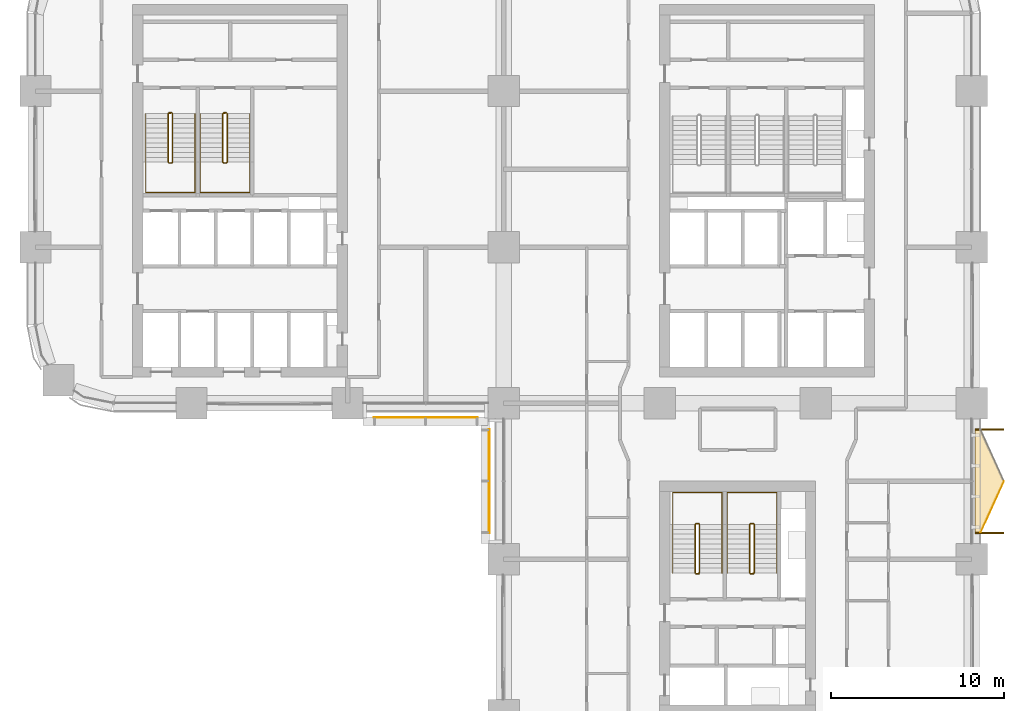
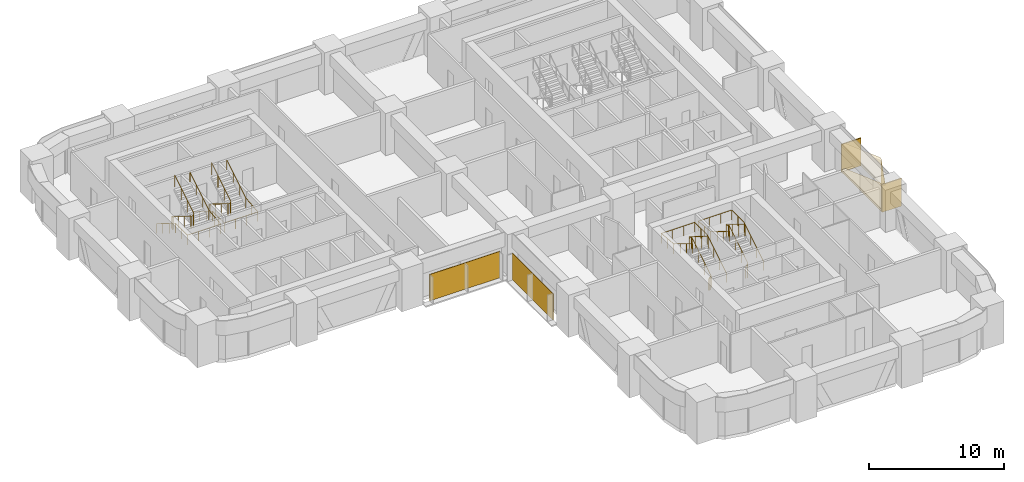
# One storey, part 17 of 18: 8 railings, 7 coverings.
"""IFC4 building model written with IfcOpenShell, lengths in metres."""

from ifc_helpers import new_model, si_unit, direction, frame, origin, origin_2d, place, context, subcontext, project, spatial, polyline, rectangle, circle, outline, extrude, material, layer, layer_set, type_object, element, save


model = new_model("IFC4")

# Units and contexts
model_context = context("Model", 3, precision=1e-05, world=origin(), true_north=direction((0.0, 1.0)))
body_context = subcontext(model_context, "Body", "Model", "MODEL_VIEW")
ifc_project = project(units=[si_unit("LENGTHUNIT", "METRE"), si_unit("AREAUNIT", "SQUARE_METRE"), si_unit("VOLUMEUNIT", "CUBIC_METRE"), si_unit("PLANEANGLEUNIT", "RADIAN"), si_unit("MASSUNIT", "GRAM", prefix="KILO")], contexts=[model_context])

# Site, building, storey
site_placement = place(None, origin())
site = spatial("IfcSite", under=ifc_project, at=site_placement, CompositionType="ELEMENT")
building_placement = place(site_placement, origin())
building = spatial("IfcBuilding", under=site, at=building_placement, Name="Tessera Arch", CompositionType="ELEMENT")
storey_placement = place(building_placement, frame((0.0, 0.0, 104.39990234375)))
storey = spatial("IfcBuildingStorey", under=building, at=storey_placement, Name="L24", CompositionType="ELEMENT", Elevation=104.39990234375)

# Coverings
ifc_material_1 = material(Name="Anodised aluminium pale metal", Category="aluminium")
ifc_layer_1 = layer(ifc_material_1, 0.0400390625)
ifc_layer_set_1 = layer_set([ifc_layer_1], Name="Mashrabiya screen panel")
covering_type_1 = type_object("IfcCoveringType", Name="Mashrabiya screen panel", PredefinedType="CLADDING", material=ifc_layer_set_1)
for number, where, z_axis, x_axis, name in (
    (1, (22.5, 26.169921875, 0.1201171875), (0.0, 0.0, 1.0), (1.0, 0.0, 0.0), "SCREEN mashrabiya S27.0/2"),
    (2, (26.169921875, 22.5, 0.1201171875), (0.0, 0.0, 1.0), (0.0, -1.0, 0.0), "SCREEN mashrabiya W27.0/0"),
):
    element("IfcCovering", number, at=place(storey_placement, frame(where, z_axis=z_axis, x_axis=x_axis)), inside=storey, type_object=covering_type_1, Name=name, PredefinedType="CLADDING", context=body_context, shape_type="SweptSolid", body=[
        extrude(rectangle(XDim=6.0, YDim=0.0400390625, at=origin_2d()), origin(), (0.0, 0.0, 1.0), 2.3798828125),
    ])

# Railings
ifc_material_2 = material(Name="Painted steel balustrade", Category="steel")
railing_type_1 = type_object("IfcRailingType", Name="Stair guard 1100", PredefinedType="GUARDRAIL", material=ifc_material_2)
railing_1_placement = place(storey_placement, frame((7.699951171875, 43.75, 0.0)))
element("IfcRailing", 3, at=railing_1_placement, inside=storey, type_object=railing_type_1, Name="L24 S2a stair guard 1", PredefinedType="GUARDRAIL", context=body_context, shape_type="SweptSolid", body=[
    extrude(circle(Radius=0.02392578125, at=origin_2d()), frame((-0.00390625, 0.0, 1.076171875), z_axis=(1.0, 0.0, 0.0), x_axis=(0.0, 1.0, 0.0)), (0.0, 0.0, 1.0), 0.158203125),
    extrude(circle(Radius=0.02392578125, at=origin_2d()), frame((0.153076171875, 0.000732421875, 1.073486328125), z_axis=(-0.743708266585, -0.185927066646, 0.642128600905), x_axis=(0.242535625036, -0.970142500145, 0.0)), (0.0, 0.0, 1.0), 0.277099609375),
    extrude(circle(Radius=0.02392578125, at=origin_2d()), frame((-0.050048828125, -0.046630859375, 1.246826171875), z_axis=(0.0, -0.851089632645, 0.525020415988), x_axis=(1.0, 0.0, 0.0)), (0.0, 0.0, 1.0), 3.2978515625),
    extrude(circle(Radius=0.02392578125, at=origin_2d()), frame((-0.052978515625, -2.84716796875, 2.97607421875), z_axis=(0.708833529934, -0.705375805398, 0.0), x_axis=(0.705375805398, 0.708833529934, 0.0)), (0.0, 0.0, 1.0), 0.07861328125),
    extrude(circle(Radius=0.02392578125, at=origin_2d()), frame((-0.00390625, -2.89990234375, 2.97607421875), z_axis=(1.0, 0.0, 0.0), x_axis=(0.0, 1.0, 0.0)), (0.0, 0.0, 1.0), 0.158203125),
    extrude(circle(Radius=0.02392578125, at=origin_2d()), frame((0.149169921875, -2.90087890625, 2.972412109375), z_axis=(0.26715648603, 0.26715648603, 0.925880566782), x_axis=(-0.707106781187, 0.707106781187, 0.0)), (0.0, 0.0, 1.0), 0.1943359375),
    extrude(circle(Radius=0.02392578125, at=origin_2d()), frame((0.199951171875, -2.853515625, 3.146728515625), z_axis=(0.0, 0.851089632645, 0.525020415988), x_axis=(-1.0, 0.0, 0.0)), (0.0, 0.0, 1.0), 3.2978515625),
    extrude(circle(Radius=0.02099609375, at=origin_2d()), origin(), (0.0, 0.0, 1.0), 1.06396484375),
    extrude(circle(Radius=0.02099609375, at=origin_2d()), frame((0.150146484375, 0.0, 0.0)), (0.0, 0.0, 1.0), 1.06396484375),
    extrude(circle(Radius=0.02099609375, at=origin_2d()), frame((-0.050048828125, -0.050048828125, 0.1728515625)), (0.0, 0.0, 1.0), 1.06396484375),
    extrude(circle(Radius=0.02099609375, at=origin_2d()), frame((-0.050048828125, -0.9833984375, 0.74853515625)), (0.0, 0.0, 1.0), 1.06396484375),
    extrude(circle(Radius=0.02099609375, at=origin_2d()), frame((-0.050048828125, -1.916748046875, 1.324462890625)), (0.0, 0.0, 1.0), 1.06396484375),
    extrude(circle(Radius=0.02099609375, at=origin_2d()), frame((-0.050048828125, -2.85009765625, 1.900146484375)), (0.0, 0.0, 1.0), 1.06396484375),
    extrude(circle(Radius=0.02099609375, at=origin_2d()), frame((0.0, -2.89990234375, 1.900146484375)), (0.0, 0.0, 1.0), 1.06396484375),
    extrude(circle(Radius=0.02099609375, at=origin_2d()), frame((0.150146484375, -2.89990234375, 1.900146484375)), (0.0, 0.0, 1.0), 1.06396484375),
    extrude(circle(Radius=0.02099609375, at=origin_2d()), frame((0.199951171875, -2.85009765625, 2.07275390625)), (0.0, 0.0, 1.0), 1.06396484375),
    extrude(circle(Radius=0.02099609375, at=origin_2d()), frame((0.199951171875, -1.916748046875, 2.6484375)), (0.0, 0.0, 1.0), 1.06396484375),
    extrude(circle(Radius=0.02099609375, at=origin_2d()), frame((0.199951171875, -0.9833984375, 3.224365234375)), (0.0, 0.0, 1.0), 1.06396484375),
    extrude(circle(Radius=0.02099609375, at=origin_2d()), frame((0.199951171875, -0.050048828125, 3.800048828125)), (0.0, 0.0, 1.0), 1.06396484375),
])
railing_2_placement = place(storey_placement, frame((10.85009765625, 43.75, 0.0)))
element("IfcRailing", 4, at=railing_2_placement, inside=storey, type_object=railing_type_1, Name="L24 S2b stair guard 1", PredefinedType="GUARDRAIL", context=body_context, shape_type="SweptSolid", body=[
    extrude(circle(Radius=0.02392578125, at=origin_2d()), frame((-0.00390625, 0.0, 1.076171875), z_axis=(1.0, 0.0, 0.0), x_axis=(0.0, 1.0, 0.0)), (0.0, 0.0, 1.0), 0.157958984375),
    extrude(circle(Radius=0.02392578125, at=origin_2d()), frame((0.15283203125, 0.000732421875, 1.073486328125), z_axis=(-0.743302536996, -0.186052527575, 0.642561900114), x_axis=(0.242814311512, -0.970072785993, 0.0)), (0.0, 0.0, 1.0), 0.277099609375),
    extrude(circle(Radius=0.02392578125, at=origin_2d()), frame((-0.050048828125, -0.046630859375, 1.246826171875), z_axis=(0.0, -0.851089632645, 0.525020415988), x_axis=(1.0, 0.0, 0.0)), (0.0, 0.0, 1.0), 3.2978515625),
    extrude(circle(Radius=0.02392578125, at=origin_2d()), frame((-0.052978515625, -2.84716796875, 2.97607421875), z_axis=(0.708833529934, -0.705375805398, 0.0), x_axis=(0.705375805398, 0.708833529934, 0.0)), (0.0, 0.0, 1.0), 0.07861328125),
    extrude(circle(Radius=0.02392578125, at=origin_2d()), frame((-0.00390625, -2.89990234375, 2.97607421875), z_axis=(1.0, 0.0, 0.0), x_axis=(0.0, 1.0, 0.0)), (0.0, 0.0, 1.0), 0.157958984375),
    extrude(circle(Radius=0.02392578125, at=origin_2d()), frame((0.14892578125, -2.90087890625, 2.972412109375), z_axis=(0.268371968888, 0.267062837333, 0.925556009775), x_axis=(-0.705375805398, 0.708833529934, 0.0)), (0.0, 0.0, 1.0), 0.194580078125),
    extrude(circle(Radius=0.02392578125, at=origin_2d()), frame((0.199951171875, -2.853515625, 3.146728515625), z_axis=(0.0, 0.851089632645, 0.525020415988), x_axis=(-1.0, 0.0, 0.0)), (0.0, 0.0, 1.0), 3.2978515625),
    extrude(circle(Radius=0.02099609375, at=origin_2d()), origin(), (0.0, 0.0, 1.0), 1.06396484375),
    extrude(circle(Radius=0.02099609375, at=origin_2d()), frame((0.14990234375, 0.0, 0.0)), (0.0, 0.0, 1.0), 1.06396484375),
    extrude(circle(Radius=0.02099609375, at=origin_2d()), frame((-0.050048828125, -0.050048828125, 0.1728515625)), (0.0, 0.0, 1.0), 1.06396484375),
    extrude(circle(Radius=0.02099609375, at=origin_2d()), frame((-0.050048828125, -0.9833984375, 0.74853515625)), (0.0, 0.0, 1.0), 1.06396484375),
    extrude(circle(Radius=0.02099609375, at=origin_2d()), frame((-0.050048828125, -1.916748046875, 1.324462890625)), (0.0, 0.0, 1.0), 1.06396484375),
    extrude(circle(Radius=0.02099609375, at=origin_2d()), frame((-0.050048828125, -2.85009765625, 1.900146484375)), (0.0, 0.0, 1.0), 1.06396484375),
    extrude(circle(Radius=0.02099609375, at=origin_2d()), frame((0.0, -2.89990234375, 1.900146484375)), (0.0, 0.0, 1.0), 1.06396484375),
    extrude(circle(Radius=0.02099609375, at=origin_2d()), frame((0.14990234375, -2.89990234375, 1.900146484375)), (0.0, 0.0, 1.0), 1.06396484375),
    extrude(circle(Radius=0.02099609375, at=origin_2d()), frame((0.199951171875, -2.85009765625, 2.07275390625)), (0.0, 0.0, 1.0), 1.06396484375),
    extrude(circle(Radius=0.02099609375, at=origin_2d()), frame((0.199951171875, -1.916748046875, 2.6484375)), (0.0, 0.0, 1.0), 1.06396484375),
    extrude(circle(Radius=0.02099609375, at=origin_2d()), frame((0.199951171875, -0.9833984375, 3.224365234375)), (0.0, 0.0, 1.0), 1.06396484375),
    extrude(circle(Radius=0.02099609375, at=origin_2d()), frame((0.199951171875, -0.050048828125, 3.800048828125)), (0.0, 0.0, 1.0), 1.06396484375),
])
railing_3_placement = place(storey_placement, frame((38.25, 17.14990234375, 0.0)))
element("IfcRailing", 5, at=railing_3_placement, inside=storey, type_object=railing_type_1, Name="L24 S3a stair guard 1", PredefinedType="GUARDRAIL", context=body_context, shape_type="SweptSolid", body=[
    extrude(circle(Radius=0.02392578125, at=origin_2d()), frame((0.00390625, 0.0, 1.076171875), z_axis=(-1.0, 0.0, 0.0), x_axis=(0.0, -1.0, 0.0)), (0.0, 0.0, 1.0), 0.157958984375),
    extrude(circle(Radius=0.02392578125, at=origin_2d()), frame((-0.15283203125, -0.000732421875, 1.073486328125), z_axis=(0.743302536996, 0.186052527575, 0.642561900114), x_axis=(-0.242814311512, 0.970072785993, 0.0)), (0.0, 0.0, 1.0), 0.277099609375),
    extrude(circle(Radius=0.02392578125, at=origin_2d()), frame((0.050048828125, 0.046630859375, 1.246826171875), z_axis=(0.0, 0.851089632645, 0.525020415988), x_axis=(-1.0, 0.0, 0.0)), (0.0, 0.0, 1.0), 3.2978515625),
    extrude(circle(Radius=0.02392578125, at=origin_2d()), frame((0.052978515625, 2.84716796875, 2.97607421875), z_axis=(-0.707106781187, 0.707106781187, 0.0), x_axis=(-0.707106781187, -0.707106781187, 0.0)), (0.0, 0.0, 1.0), 0.078857421875),
    extrude(circle(Radius=0.02392578125, at=origin_2d()), frame((0.00390625, 2.900146484375, 2.97607421875), z_axis=(-1.0, 0.0, 0.0), x_axis=(0.0, -1.0, 0.0)), (0.0, 0.0, 1.0), 0.157958984375),
    extrude(circle(Radius=0.02392578125, at=origin_2d()), frame((-0.14892578125, 2.901123046875, 2.972412109375), z_axis=(-0.268277960024, -0.268277960024, 0.925231793839), x_axis=(0.707106781187, -0.707106781187, 0.0)), (0.0, 0.0, 1.0), 0.194580078125),
    extrude(circle(Radius=0.02392578125, at=origin_2d()), frame((-0.199951171875, 2.853515625, 3.146728515625), z_axis=(0.0, -0.851089632645, 0.525020415988), x_axis=(1.0, 0.0, 0.0)), (0.0, 0.0, 1.0), 3.2978515625),
    extrude(circle(Radius=0.02099609375, at=origin_2d()), origin(), (0.0, 0.0, 1.0), 1.06396484375),
    extrude(circle(Radius=0.02099609375, at=origin_2d()), frame((-0.14990234375, 0.0, 0.0)), (0.0, 0.0, 1.0), 1.06396484375),
    extrude(circle(Radius=0.02099609375, at=origin_2d()), frame((0.050048828125, 0.050048828125, 0.1728515625)), (0.0, 0.0, 1.0), 1.06396484375),
    extrude(circle(Radius=0.02099609375, at=origin_2d()), frame((0.050048828125, 0.9833984375, 0.74853515625)), (0.0, 0.0, 1.0), 1.06396484375),
    extrude(circle(Radius=0.02099609375, at=origin_2d()), frame((0.050048828125, 1.916748046875, 1.324462890625)), (0.0, 0.0, 1.0), 1.06396484375),
    extrude(circle(Radius=0.02099609375, at=origin_2d()), frame((0.050048828125, 2.85009765625, 1.900146484375)), (0.0, 0.0, 1.0), 1.06396484375),
    extrude(circle(Radius=0.02099609375, at=origin_2d()), frame((0.0, 2.900146484375, 1.900146484375)), (0.0, 0.0, 1.0), 1.06396484375),
    extrude(circle(Radius=0.02099609375, at=origin_2d()), frame((-0.14990234375, 2.900146484375, 1.900146484375)), (0.0, 0.0, 1.0), 1.06396484375),
    extrude(circle(Radius=0.02099609375, at=origin_2d()), frame((-0.199951171875, 2.85009765625, 2.07275390625)), (0.0, 0.0, 1.0), 1.06396484375),
    extrude(circle(Radius=0.02099609375, at=origin_2d()), frame((-0.199951171875, 1.916748046875, 2.6484375)), (0.0, 0.0, 1.0), 1.06396484375),
    extrude(circle(Radius=0.02099609375, at=origin_2d()), frame((-0.199951171875, 0.9833984375, 3.224365234375)), (0.0, 0.0, 1.0), 1.06396484375),
    extrude(circle(Radius=0.02099609375, at=origin_2d()), frame((-0.199951171875, 0.050048828125, 3.800048828125)), (0.0, 0.0, 1.0), 1.06396484375),
])
railing_4_placement = place(storey_placement, frame((41.39990234375, 17.14990234375, 0.0)))
element("IfcRailing", 6, at=railing_4_placement, inside=storey, type_object=railing_type_1, Name="L24 S3b stair guard 1", PredefinedType="GUARDRAIL", context=body_context, shape_type="SweptSolid", body=[
    extrude(circle(Radius=0.02392578125, at=origin_2d()), frame((0.00390625, 0.0, 1.076171875), z_axis=(-1.0, 0.0, 0.0), x_axis=(0.0, -1.0, 0.0)), (0.0, 0.0, 1.0), 0.157958984375),
    extrude(circle(Radius=0.02392578125, at=origin_2d()), frame((-0.15283203125, -0.000732421875, 1.073486328125), z_axis=(0.743302536996, 0.186052527575, 0.642561900114), x_axis=(-0.242814311512, 0.970072785993, 0.0)), (0.0, 0.0, 1.0), 0.277099609375),
    extrude(circle(Radius=0.02392578125, at=origin_2d()), frame((0.050048828125, 0.046630859375, 1.246826171875), z_axis=(0.0, 0.851089632645, 0.525020415988), x_axis=(-1.0, 0.0, 0.0)), (0.0, 0.0, 1.0), 3.2978515625),
    extrude(circle(Radius=0.02392578125, at=origin_2d()), frame((0.052978515625, 2.84716796875, 2.97607421875), z_axis=(-0.707106781187, 0.707106781187, 0.0), x_axis=(-0.707106781187, -0.707106781187, 0.0)), (0.0, 0.0, 1.0), 0.078857421875),
    extrude(circle(Radius=0.02392578125, at=origin_2d()), frame((0.00390625, 2.900146484375, 2.97607421875), z_axis=(-1.0, 0.0, 0.0), x_axis=(0.0, -1.0, 0.0)), (0.0, 0.0, 1.0), 0.157958984375),
    extrude(circle(Radius=0.02392578125, at=origin_2d()), frame((-0.14892578125, 2.901123046875, 2.972412109375), z_axis=(-0.268277960024, -0.268277960024, 0.925231793839), x_axis=(0.707106781187, -0.707106781187, 0.0)), (0.0, 0.0, 1.0), 0.194580078125),
    extrude(circle(Radius=0.02392578125, at=origin_2d()), frame((-0.199951171875, 2.853515625, 3.146728515625), z_axis=(0.0, -0.851089632645, 0.525020415988), x_axis=(1.0, 0.0, 0.0)), (0.0, 0.0, 1.0), 3.2978515625),
    extrude(circle(Radius=0.02099609375, at=origin_2d()), origin(), (0.0, 0.0, 1.0), 1.06396484375),
    extrude(circle(Radius=0.02099609375, at=origin_2d()), frame((-0.14990234375, 0.0, 0.0)), (0.0, 0.0, 1.0), 1.06396484375),
    extrude(circle(Radius=0.02099609375, at=origin_2d()), frame((0.050048828125, 0.050048828125, 0.1728515625)), (0.0, 0.0, 1.0), 1.06396484375),
    extrude(circle(Radius=0.02099609375, at=origin_2d()), frame((0.050048828125, 0.9833984375, 0.74853515625)), (0.0, 0.0, 1.0), 1.06396484375),
    extrude(circle(Radius=0.02099609375, at=origin_2d()), frame((0.050048828125, 1.916748046875, 1.324462890625)), (0.0, 0.0, 1.0), 1.06396484375),
    extrude(circle(Radius=0.02099609375, at=origin_2d()), frame((0.050048828125, 2.85009765625, 1.900146484375)), (0.0, 0.0, 1.0), 1.06396484375),
    extrude(circle(Radius=0.02099609375, at=origin_2d()), frame((0.0, 2.900146484375, 1.900146484375)), (0.0, 0.0, 1.0), 1.06396484375),
    extrude(circle(Radius=0.02099609375, at=origin_2d()), frame((-0.14990234375, 2.900146484375, 1.900146484375)), (0.0, 0.0, 1.0), 1.06396484375),
    extrude(circle(Radius=0.02099609375, at=origin_2d()), frame((-0.199951171875, 2.85009765625, 2.07275390625)), (0.0, 0.0, 1.0), 1.06396484375),
    extrude(circle(Radius=0.02099609375, at=origin_2d()), frame((-0.199951171875, 1.916748046875, 2.6484375)), (0.0, 0.0, 1.0), 1.06396484375),
    extrude(circle(Radius=0.02099609375, at=origin_2d()), frame((-0.199951171875, 0.9833984375, 3.224365234375)), (0.0, 0.0, 1.0), 1.06396484375),
    extrude(circle(Radius=0.02099609375, at=origin_2d()), frame((-0.199951171875, 0.050048828125, 3.800048828125)), (0.0, 0.0, 1.0), 1.06396484375),
])
ifc_material_3 = material(Name="Painted steel handrail", Category="steel")
railing_type_2 = type_object("IfcRailingType", Name="Stair handrail 900", PredefinedType="HANDRAIL", material=ifc_material_3)
railing_5_placement = place(storey_placement, frame((6.35009765625, 43.699951171875, 0.1728515625)))
element("IfcRailing", 7, at=railing_5_placement, inside=storey, type_object=railing_type_2, Name="L24 S2a stair handrail", PredefinedType="HANDRAIL", context=body_context, shape_type="SweptSolid", body=[
    extrude(circle(Radius=0.02392578125, at=origin_2d()), frame((0.0, 0.00341796875, 0.873779296875), z_axis=(0.0, -0.851089632645, 0.525020415988), x_axis=(1.0, 0.0, 0.0)), (0.0, 0.0, 1.0), 3.2978515625),
    extrude(circle(Radius=0.02392578125, at=origin_2d()), frame((0.0, -2.796142578125, 2.60302734375), z_axis=(0.0, -1.0, 0.0), x_axis=(1.0, 0.0, 0.0)), (0.0, 0.0, 1.0), 1.758056640625),
    extrude(circle(Radius=0.02392578125, at=origin_2d()), frame((-0.00390625, -4.550048828125, 2.60302734375), z_axis=(1.0, 0.0, 0.0), x_axis=(0.0, 1.0, 0.0)), (0.0, 0.0, 1.0), 2.85791015625),
    extrude(circle(Radius=0.02392578125, at=origin_2d()), frame((2.849853515625, -4.553955078125, 2.602783203125), z_axis=(0.0, 0.995170989745, 0.098156513637), x_axis=(-1.0, 0.0, 0.0)), (0.0, 0.0, 1.0), 1.7666015625),
    extrude(circle(Radius=0.02392578125, at=origin_2d()), frame((2.849853515625, -2.803466796875, 2.773681640625), z_axis=(0.0, 0.851089632645, 0.525020415988), x_axis=(-1.0, 0.0, 0.0)), (0.0, 0.0, 1.0), 3.2978515625),
    extrude(circle(Radius=0.02099609375, at=origin_2d()), origin(), (0.0, 0.0, 1.0), 0.86376953125),
    extrude(circle(Radius=0.02099609375, at=origin_2d()), frame((0.0, -0.933349609375, 0.57568359375)), (0.0, 0.0, 1.0), 0.86376953125),
    extrude(circle(Radius=0.02099609375, at=origin_2d()), frame((0.0, -1.86669921875, 1.151611328125)), (0.0, 0.0, 1.0), 0.86376953125),
    extrude(circle(Radius=0.02099609375, at=origin_2d()), frame((0.0, -2.800048828125, 1.727294921875)), (0.0, 0.0, 1.0), 0.86376953125),
    extrude(circle(Radius=0.02099609375, at=origin_2d()), frame((0.0, -3.675048828125, 1.727294921875)), (0.0, 0.0, 1.0), 0.86376953125),
    extrude(circle(Radius=0.02099609375, at=origin_2d()), frame((0.0, -4.550048828125, 1.727294921875)), (0.0, 0.0, 1.0), 0.86376953125),
    extrude(circle(Radius=0.02099609375, at=origin_2d()), frame((0.949951171875, -4.550048828125, 1.727294921875)), (0.0, 0.0, 1.0), 0.86376953125),
    extrude(circle(Radius=0.02099609375, at=origin_2d()), frame((1.89990234375, -4.550048828125, 1.727294921875)), (0.0, 0.0, 1.0), 0.86376953125),
    extrude(circle(Radius=0.02099609375, at=origin_2d()), frame((2.849853515625, -4.550048828125, 1.727294921875)), (0.0, 0.0, 1.0), 0.86376953125),
    extrude(circle(Radius=0.02099609375, at=origin_2d()), frame((2.849853515625, -3.675048828125, 1.8134765625)), (0.0, 0.0, 1.0), 0.86376953125),
    extrude(circle(Radius=0.02099609375, at=origin_2d()), frame((2.849853515625, -2.800048828125, 1.89990234375)), (0.0, 0.0, 1.0), 0.86376953125),
    extrude(circle(Radius=0.02099609375, at=origin_2d()), frame((2.849853515625, -1.86669921875, 2.4755859375)), (0.0, 0.0, 1.0), 0.86376953125),
    extrude(circle(Radius=0.02099609375, at=origin_2d()), frame((2.849853515625, -0.933349609375, 3.051513671875)), (0.0, 0.0, 1.0), 0.86376953125),
    extrude(circle(Radius=0.02099609375, at=origin_2d()), frame((2.849853515625, 0.0, 3.627197265625)), (0.0, 0.0, 1.0), 0.86376953125),
])
railing_6_placement = place(storey_placement, frame((9.5, 43.699951171875, 0.1728515625)))
element("IfcRailing", 8, at=railing_6_placement, inside=storey, type_object=railing_type_2, Name="L24 S2b stair handrail", PredefinedType="HANDRAIL", context=body_context, shape_type="SweptSolid", body=[
    extrude(circle(Radius=0.02392578125, at=origin_2d()), frame((0.0, 0.00341796875, 0.873779296875), z_axis=(0.0, -0.851089632645, 0.525020415988), x_axis=(1.0, 0.0, 0.0)), (0.0, 0.0, 1.0), 3.2978515625),
    extrude(circle(Radius=0.02392578125, at=origin_2d()), frame((0.0, -2.796142578125, 2.60302734375), z_axis=(0.0, -1.0, 0.0), x_axis=(1.0, 0.0, 0.0)), (0.0, 0.0, 1.0), 1.758056640625),
    extrude(circle(Radius=0.02392578125, at=origin_2d()), frame((-0.00390625, -4.550048828125, 2.60302734375), z_axis=(1.0, 0.0, 0.0), x_axis=(0.0, 1.0, 0.0)), (0.0, 0.0, 1.0), 2.858154296875),
    extrude(circle(Radius=0.02392578125, at=origin_2d()), frame((2.85009765625, -4.553955078125, 2.602783203125), z_axis=(0.0, 0.995170989745, 0.098156513637), x_axis=(-1.0, 0.0, 0.0)), (0.0, 0.0, 1.0), 1.7666015625),
    extrude(circle(Radius=0.02392578125, at=origin_2d()), frame((2.85009765625, -2.803466796875, 2.773681640625), z_axis=(0.0, 0.851089632645, 0.525020415988), x_axis=(-1.0, 0.0, 0.0)), (0.0, 0.0, 1.0), 3.2978515625),
    extrude(circle(Radius=0.02099609375, at=origin_2d()), origin(), (0.0, 0.0, 1.0), 0.86376953125),
    extrude(circle(Radius=0.02099609375, at=origin_2d()), frame((0.0, -0.933349609375, 0.57568359375)), (0.0, 0.0, 1.0), 0.86376953125),
    extrude(circle(Radius=0.02099609375, at=origin_2d()), frame((0.0, -1.86669921875, 1.151611328125)), (0.0, 0.0, 1.0), 0.86376953125),
    extrude(circle(Radius=0.02099609375, at=origin_2d()), frame((0.0, -2.800048828125, 1.727294921875)), (0.0, 0.0, 1.0), 0.86376953125),
    extrude(circle(Radius=0.02099609375, at=origin_2d()), frame((0.0, -3.675048828125, 1.727294921875)), (0.0, 0.0, 1.0), 0.86376953125),
    extrude(circle(Radius=0.02099609375, at=origin_2d()), frame((0.0, -4.550048828125, 1.727294921875)), (0.0, 0.0, 1.0), 0.86376953125),
    extrude(circle(Radius=0.02099609375, at=origin_2d()), frame((0.949951171875, -4.550048828125, 1.727294921875)), (0.0, 0.0, 1.0), 0.86376953125),
    extrude(circle(Radius=0.02099609375, at=origin_2d()), frame((1.900146484375, -4.550048828125, 1.727294921875)), (0.0, 0.0, 1.0), 0.86376953125),
    extrude(circle(Radius=0.02099609375, at=origin_2d()), frame((2.85009765625, -4.550048828125, 1.727294921875)), (0.0, 0.0, 1.0), 0.86376953125),
    extrude(circle(Radius=0.02099609375, at=origin_2d()), frame((2.85009765625, -3.675048828125, 1.8134765625)), (0.0, 0.0, 1.0), 0.86376953125),
    extrude(circle(Radius=0.02099609375, at=origin_2d()), frame((2.85009765625, -2.800048828125, 1.89990234375)), (0.0, 0.0, 1.0), 0.86376953125),
    extrude(circle(Radius=0.02099609375, at=origin_2d()), frame((2.85009765625, -1.86669921875, 2.4755859375)), (0.0, 0.0, 1.0), 0.86376953125),
    extrude(circle(Radius=0.02099609375, at=origin_2d()), frame((2.85009765625, -0.933349609375, 3.051513671875)), (0.0, 0.0, 1.0), 0.86376953125),
    extrude(circle(Radius=0.02099609375, at=origin_2d()), frame((2.85009765625, 0.0, 3.627197265625)), (0.0, 0.0, 1.0), 0.86376953125),
])
railing_7_placement = place(storey_placement, frame((39.60009765625, 17.199951171875, 0.1728515625)))
element("IfcRailing", 9, at=railing_7_placement, inside=storey, type_object=railing_type_2, Name="L24 S3a stair handrail", PredefinedType="HANDRAIL", context=body_context, shape_type="SweptSolid", body=[
    extrude(circle(Radius=0.02392578125, at=origin_2d()), frame((0.0, -0.00341796875, 0.873779296875), z_axis=(0.0, 0.851089632645, 0.525020415988), x_axis=(-1.0, 0.0, 0.0)), (0.0, 0.0, 1.0), 3.2978515625),
    extrude(circle(Radius=0.02392578125, at=origin_2d()), frame((0.0, 2.796142578125, 2.60302734375), z_axis=(0.0, 1.0, 0.0), x_axis=(-1.0, 0.0, 0.0)), (0.0, 0.0, 1.0), 1.858154296875),
    extrude(circle(Radius=0.02392578125, at=origin_2d()), frame((0.00390625, 4.650146484375, 2.60302734375), z_axis=(-1.0, 0.0, 0.0), x_axis=(0.0, -1.0, 0.0)), (0.0, 0.0, 1.0), 2.858154296875),
    extrude(circle(Radius=0.02392578125, at=origin_2d()), frame((-2.85009765625, 4.654052734375, 2.602783203125), z_axis=(0.0, -0.995676099079, 0.092892979948), x_axis=(1.0, 0.0, 0.0)), (0.0, 0.0, 1.0), 1.8662109375),
    extrude(circle(Radius=0.02392578125, at=origin_2d()), frame((-2.85009765625, 2.803466796875, 2.773681640625), z_axis=(0.0, -0.851089632645, 0.525020415988), x_axis=(1.0, 0.0, 0.0)), (0.0, 0.0, 1.0), 3.2978515625),
    extrude(circle(Radius=0.02099609375, at=origin_2d()), origin(), (0.0, 0.0, 1.0), 0.86376953125),
    extrude(circle(Radius=0.02099609375, at=origin_2d()), frame((0.0, 0.933349609375, 0.57568359375)), (0.0, 0.0, 1.0), 0.86376953125),
    extrude(circle(Radius=0.02099609375, at=origin_2d()), frame((0.0, 1.86669921875, 1.151611328125)), (0.0, 0.0, 1.0), 0.86376953125),
    extrude(circle(Radius=0.02099609375, at=origin_2d()), frame((0.0, 2.800048828125, 1.727294921875)), (0.0, 0.0, 1.0), 0.86376953125),
    extrude(circle(Radius=0.02099609375, at=origin_2d()), frame((0.0, 3.72509765625, 1.727294921875)), (0.0, 0.0, 1.0), 0.86376953125),
    extrude(circle(Radius=0.02099609375, at=origin_2d()), frame((0.0, 4.650146484375, 1.727294921875)), (0.0, 0.0, 1.0), 0.86376953125),
    extrude(circle(Radius=0.02099609375, at=origin_2d()), frame((-0.949951171875, 4.650146484375, 1.727294921875)), (0.0, 0.0, 1.0), 0.86376953125),
    extrude(circle(Radius=0.02099609375, at=origin_2d()), frame((-1.900146484375, 4.650146484375, 1.727294921875)), (0.0, 0.0, 1.0), 0.86376953125),
    extrude(circle(Radius=0.02099609375, at=origin_2d()), frame((-2.85009765625, 4.650146484375, 1.727294921875)), (0.0, 0.0, 1.0), 0.86376953125),
    extrude(circle(Radius=0.02099609375, at=origin_2d()), frame((-2.85009765625, 3.72509765625, 1.8134765625)), (0.0, 0.0, 1.0), 0.86376953125),
    extrude(circle(Radius=0.02099609375, at=origin_2d()), frame((-2.85009765625, 2.800048828125, 1.89990234375)), (0.0, 0.0, 1.0), 0.86376953125),
    extrude(circle(Radius=0.02099609375, at=origin_2d()), frame((-2.85009765625, 1.86669921875, 2.4755859375)), (0.0, 0.0, 1.0), 0.86376953125),
    extrude(circle(Radius=0.02099609375, at=origin_2d()), frame((-2.85009765625, 0.933349609375, 3.051513671875)), (0.0, 0.0, 1.0), 0.86376953125),
    extrude(circle(Radius=0.02099609375, at=origin_2d()), frame((-2.85009765625, 0.0, 3.627197265625)), (0.0, 0.0, 1.0), 0.86376953125),
])
railing_8_placement = place(storey_placement, frame((42.75, 17.199951171875, 0.1728515625)))
element("IfcRailing", 10, at=railing_8_placement, inside=storey, type_object=railing_type_2, Name="L24 S3b stair handrail", PredefinedType="HANDRAIL", context=body_context, shape_type="SweptSolid", body=[
    extrude(circle(Radius=0.02392578125, at=origin_2d()), frame((0.0, -0.00341796875, 0.873779296875), z_axis=(0.0, 0.851089632645, 0.525020415988), x_axis=(-1.0, 0.0, 0.0)), (0.0, 0.0, 1.0), 3.2978515625),
    extrude(circle(Radius=0.02392578125, at=origin_2d()), frame((0.0, 2.796142578125, 2.60302734375), z_axis=(0.0, 1.0, 0.0), x_axis=(-1.0, 0.0, 0.0)), (0.0, 0.0, 1.0), 1.858154296875),
    extrude(circle(Radius=0.02392578125, at=origin_2d()), frame((0.00390625, 4.650146484375, 2.60302734375), z_axis=(-1.0, 0.0, 0.0), x_axis=(0.0, -1.0, 0.0)), (0.0, 0.0, 1.0), 2.858154296875),
    extrude(circle(Radius=0.02392578125, at=origin_2d()), frame((-2.85009765625, 4.654052734375, 2.602783203125), z_axis=(0.0, -0.995676099079, 0.092892979948), x_axis=(1.0, 0.0, 0.0)), (0.0, 0.0, 1.0), 1.8662109375),
    extrude(circle(Radius=0.02392578125, at=origin_2d()), frame((-2.85009765625, 2.803466796875, 2.773681640625), z_axis=(0.0, -0.851089632645, 0.525020415988), x_axis=(1.0, 0.0, 0.0)), (0.0, 0.0, 1.0), 3.2978515625),
    extrude(circle(Radius=0.02099609375, at=origin_2d()), origin(), (0.0, 0.0, 1.0), 0.86376953125),
    extrude(circle(Radius=0.02099609375, at=origin_2d()), frame((0.0, 0.933349609375, 0.57568359375)), (0.0, 0.0, 1.0), 0.86376953125),
    extrude(circle(Radius=0.02099609375, at=origin_2d()), frame((0.0, 1.86669921875, 1.151611328125)), (0.0, 0.0, 1.0), 0.86376953125),
    extrude(circle(Radius=0.02099609375, at=origin_2d()), frame((0.0, 2.800048828125, 1.727294921875)), (0.0, 0.0, 1.0), 0.86376953125),
    extrude(circle(Radius=0.02099609375, at=origin_2d()), frame((0.0, 3.72509765625, 1.727294921875)), (0.0, 0.0, 1.0), 0.86376953125),
    extrude(circle(Radius=0.02099609375, at=origin_2d()), frame((0.0, 4.650146484375, 1.727294921875)), (0.0, 0.0, 1.0), 0.86376953125),
    extrude(circle(Radius=0.02099609375, at=origin_2d()), frame((-0.949951171875, 4.650146484375, 1.727294921875)), (0.0, 0.0, 1.0), 0.86376953125),
    extrude(circle(Radius=0.02099609375, at=origin_2d()), frame((-1.900146484375, 4.650146484375, 1.727294921875)), (0.0, 0.0, 1.0), 0.86376953125),
    extrude(circle(Radius=0.02099609375, at=origin_2d()), frame((-2.85009765625, 4.650146484375, 1.727294921875)), (0.0, 0.0, 1.0), 0.86376953125),
    extrude(circle(Radius=0.02099609375, at=origin_2d()), frame((-2.85009765625, 3.72509765625, 1.8134765625)), (0.0, 0.0, 1.0), 0.86376953125),
    extrude(circle(Radius=0.02099609375, at=origin_2d()), frame((-2.85009765625, 2.800048828125, 1.89990234375)), (0.0, 0.0, 1.0), 0.86376953125),
    extrude(circle(Radius=0.02099609375, at=origin_2d()), frame((-2.85009765625, 1.86669921875, 2.4755859375)), (0.0, 0.0, 1.0), 0.86376953125),
    extrude(circle(Radius=0.02099609375, at=origin_2d()), frame((-2.85009765625, 0.933349609375, 3.051513671875)), (0.0, 0.0, 1.0), 0.86376953125),
    extrude(circle(Radius=0.02099609375, at=origin_2d()), frame((-2.85009765625, 0.0, 3.627197265625)), (0.0, 0.0, 1.0), 0.86376953125),
])

# Coverings
ifc_material_4 = material(Name="Anodised aluminium pale metal", Category="aluminium")
ifc_layer_2 = layer(ifc_material_4, 0.080078125)
ifc_layer_set_2 = layer_set([ifc_layer_2], Name="Window box cheek")
covering_type_2 = type_object("IfcCoveringType", Name="Window box cheek", PredefinedType="CLADDING", material=ifc_layer_set_2)
covering_1_placement = place(storey_placement, origin())
element("IfcCovering", 11, at=covering_1_placement, inside=storey, type_object=covering_type_2, Name="Window box E54.0/2.0 2x1 cheek", PredefinedType="CLADDING", context=body_context, shape_type="SweptSolid", body=[
    extrude(outline(polyline([(55.85009765625, 19.469970703125), (55.85009765625, 19.550048828125), (54.199951171875, 19.550048828125), (54.199951171875, 19.469970703125), (55.85009765625, 19.469970703125)])), origin(), (0.0, 0.0, 1.0), 2.5),
])
covering_2_placement = place(storey_placement, origin())
element("IfcCovering", 12, at=covering_2_placement, inside=storey, type_object=covering_type_2, Name="Window box E54.0/2.0 2x1 cheek", PredefinedType="CLADDING", context=body_context, shape_type="SweptSolid", body=[
    extrude(outline(polyline([(55.85009765625, 25.449951171875), (55.85009765625, 25.530029296875), (54.199951171875, 25.530029296875), (54.199951171875, 25.449951171875), (55.85009765625, 25.449951171875)])), origin(), (0.0, 0.0, 1.0), 2.5),
])
ifc_material_5 = material(Name="Anodised aluminium pale metal", Category="aluminium")
ifc_layer_3 = layer(ifc_material_5, 0.219970703125)
ifc_layer_set_3 = layer_set([ifc_layer_3], Name="Window box frame plate pale metal")
covering_type_3 = type_object("IfcCoveringType", Name="Window box frame plate pale metal", PredefinedType="CLADDING", material=ifc_layer_set_3)
covering_3_placement = place(storey_placement, origin())
element("IfcCovering", 13, at=covering_3_placement, inside=storey, type_object=covering_type_3, Name="Window box E54.0/2.0 2x1 floor", PredefinedType="CLADDING", context=body_context, shape_type="SweptSolid", body=[
    extrude(outline(polyline([(54.510009765625, 19.550048828125), (55.85009765625, 22.5), (54.510009765625, 25.449951171875), (54.199951171875, 25.449951171875), (54.199951171875, 19.550048828125), (54.510009765625, 19.550048828125)])), origin(), (0.0, 0.0, 1.0), 0.22021484375),
])
covering_4_placement = place(storey_placement, frame((0.0, 0.0, 2.280029296875)))
element("IfcCovering", 14, at=covering_4_placement, inside=storey, type_object=covering_type_3, Name="Window box E54.0/2.0 2x1 roof", PredefinedType="CLADDING", context=body_context, shape_type="SweptSolid", body=[
    extrude(outline(polyline([(54.510009765625, 19.550048828125), (55.85009765625, 22.5), (54.510009765625, 25.449951171875), (54.199951171875, 25.449951171875), (54.199951171875, 19.550048828125), (54.510009765625, 19.550048828125)])), origin(), (0.0, 0.0, 1.0), 0.219970703125),
])
ifc_material_6 = material(Name="Anodised aluminium pale metal", Category="aluminium")
ifc_layer_4 = layer(ifc_material_6, 0.028076171875)
ifc_layer_set_4 = layer_set([ifc_layer_4], Name="Window box side panel")
covering_type_4 = type_object("IfcCoveringType", Name="Window box side panel", PredefinedType="CLADDING", material=ifc_layer_set_4)
covering_5_placement = place(storey_placement, frame((55.179931640625, 21.02490234375, 0.219970703125), z_axis=(0.0, 0.0, 1.0), x_axis=(0.413570397858, 0.910472144558, 0.0)))
element("IfcCovering", 15, at=covering_5_placement, inside=storey, type_object=covering_type_4, Name="Window box E54.0/2.0 2x1 side panel", PredefinedType="CLADDING", context=body_context, shape_type="SweptSolid", body=[
    extrude(rectangle(XDim=3.239990234375, YDim=0.028076171875, at=origin_2d()), origin(), (0.0, 0.0, 1.0), 2.06005859375),
])

save(model, "model.ifc")
